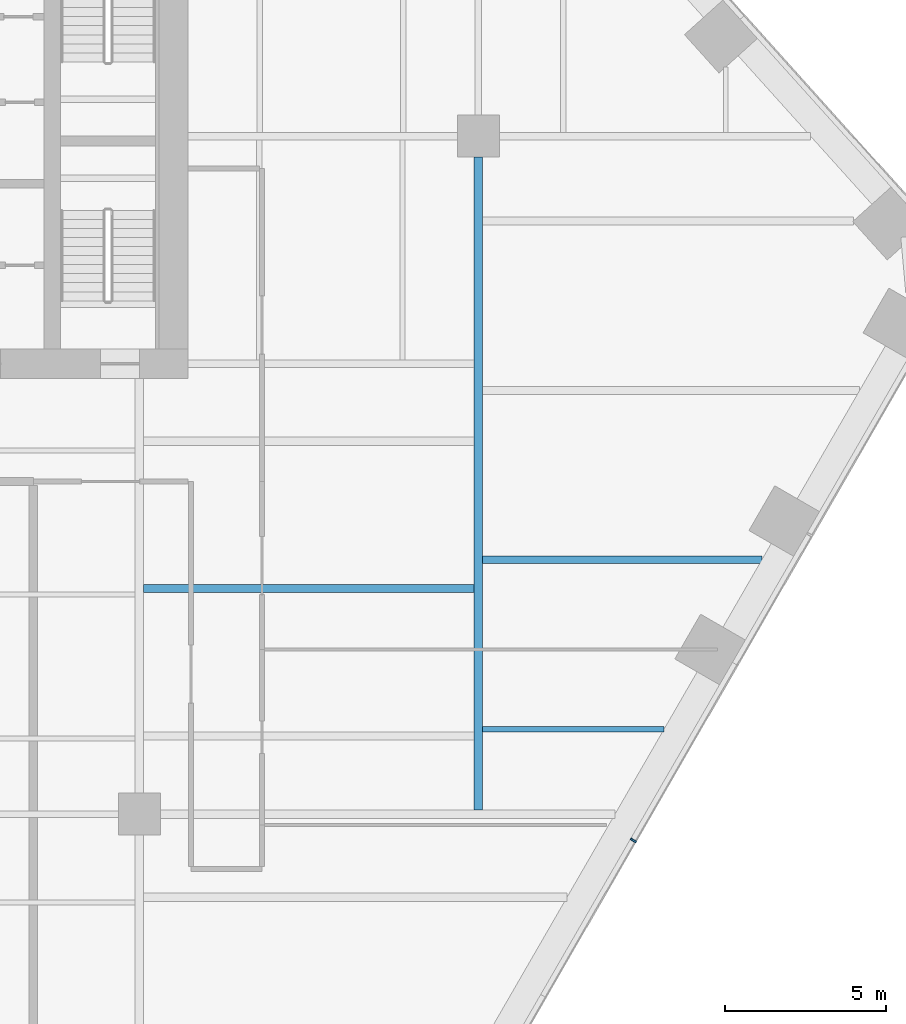
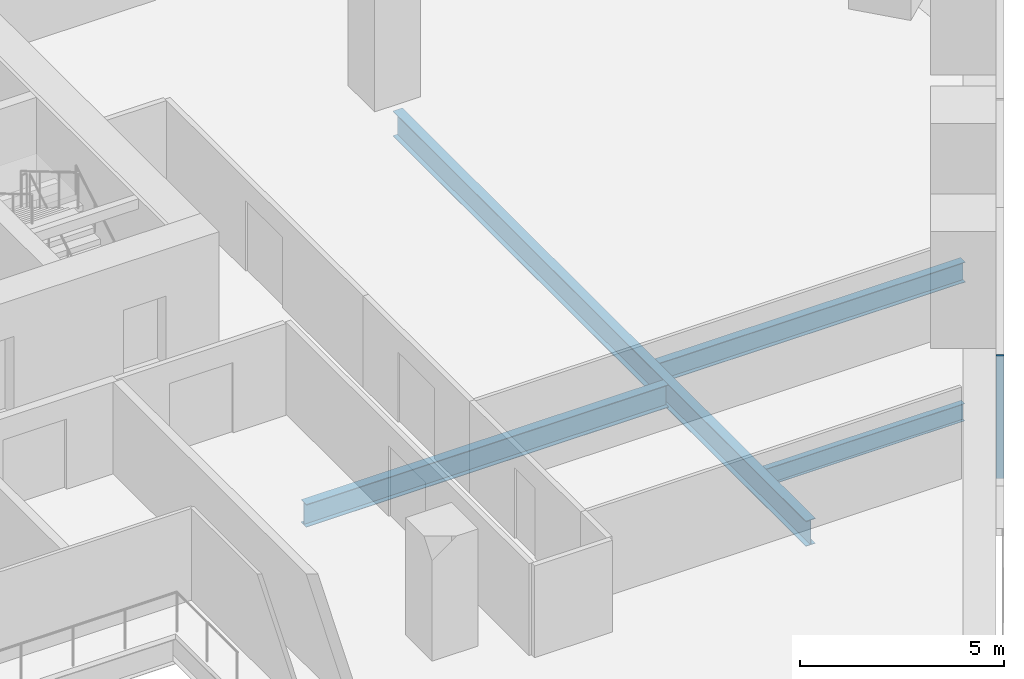
# One storey, part 7 of 21: 4 beams, 1 member, 1 element without a shape of its own.
"""IFC4 building model written with IfcOpenShell, lengths in metres."""

from ifc_helpers import new_model, si_unit, direction, frame, origin, origin_2d, place, context, subcontext, project, spatial, rectangle, i_section, extrude, material, layer, layer_set, material_profile, profile_set, type_object, element, aggregate, save


model = new_model("IFC4")

# Units and contexts
model_context = context("Model", 3, precision=1e-05, world=origin(), true_north=direction((0.0, 1.0)))
body_context = subcontext(model_context, "Body", "Model", "MODEL_VIEW")
ifc_project = project(units=[si_unit("LENGTHUNIT", "METRE"), si_unit("AREAUNIT", "SQUARE_METRE"), si_unit("VOLUMEUNIT", "CUBIC_METRE"), si_unit("PLANEANGLEUNIT", "RADIAN"), si_unit("MASSUNIT", "GRAM", prefix="KILO")], contexts=[model_context])

# Site, building, storey
site_placement = place(None, origin())
site = spatial("IfcSite", under=ifc_project, at=site_placement, CompositionType="ELEMENT")
building_placement = place(site_placement, origin())
building = spatial("IfcBuilding", under=site, at=building_placement, Name="Isthmus Gate Tower", CompositionType="ELEMENT")
storey_placement = place(building_placement, frame((0.0, 0.0, 102.550048828125)))
storey = spatial("IfcBuildingStorey", under=building, at=storey_placement, Name="L24", CompositionType="ELEMENT", Elevation=102.550048828125)

# Curtain wall, member
ifc_material_1 = material(Name="Aluminium, pale champagne anodised", Category="aluminium")
ifc_layer = layer(ifc_material_1, 0.199951171875)
ifc_layer_set = layer_set([ifc_layer], Name="CW-1 UNITISED CURTAIN WALL 200 DEEP")
curtain_wall_type = type_object("IfcCurtainWallType", Name="CW-1 UNITISED CURTAIN WALL 200 DEEP", PredefinedType="NOTDEFINED", material=ifc_layer_set)
curtain_wall_placement = place(storey_placement, origin())
curtain_wall = element("IfcCurtainWall", 1, at=curtain_wall_placement, inside=storey, type_object=curtain_wall_type, Name="CW-1 SE L24", PredefinedType="NOTDEFINED")
ifc_material_2 = material(Name="Aluminium, pale champagne anodised", Category="aluminium")
ifc_material_profile_1 = material_profile(ifc_material_2, rectangle(XDim=0.06005859375, YDim=0.199951171875, at=origin_2d()), Name="60x200")
ifc_profile_set_1 = profile_set([ifc_material_profile_1], Name="Aluminium, pale champagne anodised")
member_type = type_object("IfcMemberType", Name="CW-1 MULLION 60 X 200", PredefinedType="MULLION", material=ifc_profile_set_1)
member_placement = place(storey_placement, frame((28.802001953125, -14.3134765625, 0.0), z_axis=(0.0, 0.0, 1.0), x_axis=(0.5, 0.866025403784, 0.0)))
member = element("IfcMember", 2, at=member_placement, type_object=member_type, Name="CW-1 mullion", PredefinedType="MULLION", context=body_context, shape_type="SweptSolid", body=[
    extrude(rectangle(XDim=0.06005859375, YDim=0.199951171875, at=origin_2d()), origin(), (0.0, 0.0, 1.0), 3.64990234375),
])
aggregate(curtain_wall, [member])

# Beams
ifc_material_3 = material(Name="Structural steel ASTM A992 Gr 50", Category="steel")
ifc_material_profile_2 = material_profile(ifc_material_3, i_section(OverallWidth=0.1650390625, OverallDepth=0.52392578125, WebThickness=0.009521484375, FlangeThickness=0.010986328125, at=origin_2d()), Name="W21X44")
ifc_profile_set_2 = profile_set([ifc_material_profile_2], Name="Structural steel ASTM A992 Gr 50")
beam_type_1 = type_object("IfcBeamType", Name="STEEL FLOOR BEAM W21X44", PredefinedType="JOIST", material=ifc_profile_set_2)
beam_1_placement = place(storey_placement, frame((24.13330078125, -10.875, -0.412109375), z_axis=(1.0, 0.0, 0.0), x_axis=(0.0, 1.0, 0.0)))
element("IfcBeam", 3, at=beam_1_placement, inside=storey, type_object=beam_type_1, Name="str-beam-L24-34-00", PredefinedType="JOIST", context=body_context, shape_type="SweptSolid", body=[
    extrude(i_section(OverallWidth=0.1650390625, OverallDepth=0.52392578125, WebThickness=0.009521484375, FlangeThickness=0.010986328125, at=origin_2d()), origin(), (0.0, 0.0, 1.0), 5.61474609375),
])
ifc_material_4 = material(Name="Structural steel ASTM A992 Gr 50", Category="steel")
ifc_material_profile_3 = material_profile(ifc_material_4, i_section(OverallWidth=0.228515625, OverallDepth=0.603271484375, WebThickness=0.010986328125, FlangeThickness=0.014404296875, at=origin_2d()), Name="W24X68")
ifc_profile_set_3 = profile_set([ifc_material_profile_3], Name="Structural steel ASTM A992 Gr 50")
beam_type_2 = type_object("IfcBeamType", Name="STEEL FLOOR BEAM W24X68", PredefinedType="JOIST", material=ifc_profile_set_3)
beam_2_placement = place(storey_placement, frame((24.13330078125, -5.625, -0.45166015625), z_axis=(1.0, 0.0, 0.0), x_axis=(0.0, 1.0, 0.0)))
element("IfcBeam", 4, at=beam_2_placement, inside=storey, type_object=beam_type_2, Name="str-beam-L24-34-01", PredefinedType="JOIST", context=body_context, shape_type="SweptSolid", body=[
    extrude(i_section(OverallWidth=0.228515625, OverallDepth=0.603271484375, WebThickness=0.010986328125, FlangeThickness=0.014404296875, at=origin_2d()), origin(), (0.0, 0.0, 1.0), 8.645751953125),
])
ifc_material_5 = material(Name="Structural steel ASTM A992 Gr 50", Category="steel")
ifc_material_profile_4 = material_profile(ifc_material_5, i_section(OverallWidth=0.25390625, OverallDepth=0.679443359375, WebThickness=0.010986328125, FlangeThickness=0.015869140625, at=origin_2d()), Name="W27X84")
ifc_profile_set_4 = profile_set([ifc_material_profile_4], Name="Structural steel ASTM A992 Gr 50")
beam_type_3 = type_object("IfcBeamType", Name="STEEL FLOOR BEAM W27X84", PredefinedType="JOIST", material=ifc_profile_set_4)
beam_3_placement = place(storey_placement, frame((13.6318359375, -6.515380859375, -0.48974609375), z_axis=(1.0, 0.0, 0.0), x_axis=(0.0, 1.0, 0.0)))
element("IfcBeam", 5, at=beam_3_placement, inside=storey, type_object=beam_type_3, Name="str-beam-L24-27-01", PredefinedType="JOIST", context=body_context, shape_type="SweptSolid", body=[
    extrude(i_section(OverallWidth=0.25390625, OverallDepth=0.679443359375, WebThickness=0.010986328125, FlangeThickness=0.015869140625, at=origin_2d()), origin(), (0.0, 0.0, 1.0), 10.23486328125),
])
ifc_material_6 = material(Name="Structural steel ASTM A992 Gr 50", Category="steel")
ifc_material_profile_5 = material_profile(ifc_material_6, i_section(OverallWidth=0.2666015625, OverallDepth=0.7587890625, WebThickness=0.014404296875, FlangeThickness=0.01904296875, at=origin_2d()), Name="W30X108")
ifc_profile_set_5 = profile_set([ifc_material_profile_5], Name="Structural steel ASTM A992 Gr 50")
beam_type_4 = type_object("IfcBeamType", Name="STEEL GIRDER W30X108", PredefinedType="BEAM", material=ifc_profile_set_5)
beam_4_placement = place(storey_placement, frame((24.0, -13.36669921875, -0.529541015625), z_axis=(0.0, 1.0, 0.0), x_axis=(-1.0, 0.0, 0.0)))
element("IfcBeam", 6, at=beam_4_placement, inside=storey, type_object=beam_type_4, Name="str-girder-L24-36", PredefinedType="BEAM", context=body_context, shape_type="SweptSolid", body=[
    extrude(i_section(OverallWidth=0.2666015625, OverallDepth=0.7587890625, WebThickness=0.014404296875, FlangeThickness=0.01904296875, at=origin_2d()), origin(), (0.0, 0.0, 1.0), 20.216796875),
])

save(model, "model.ifc")
